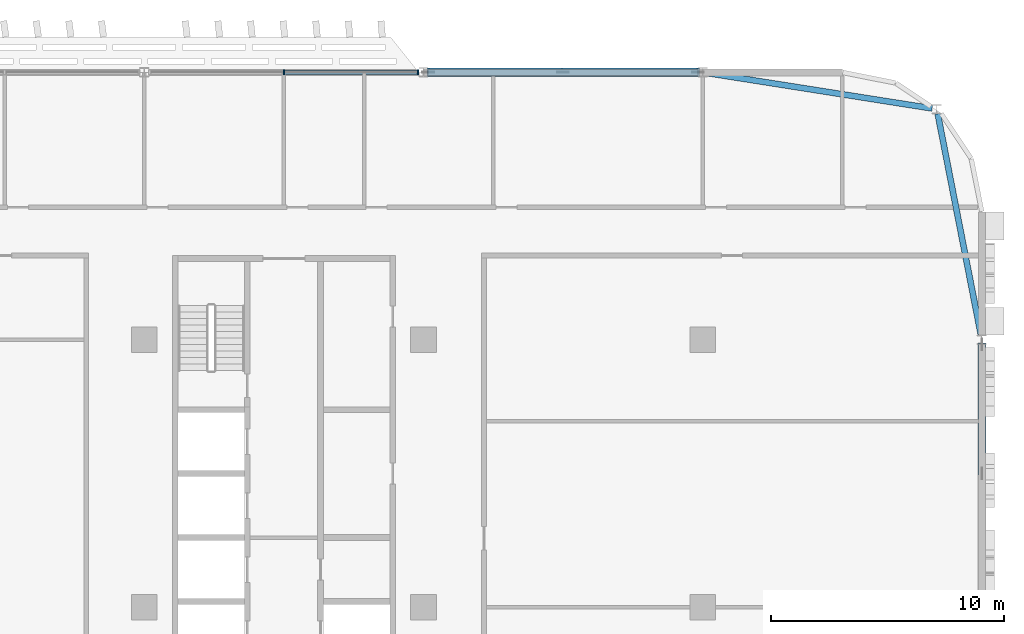
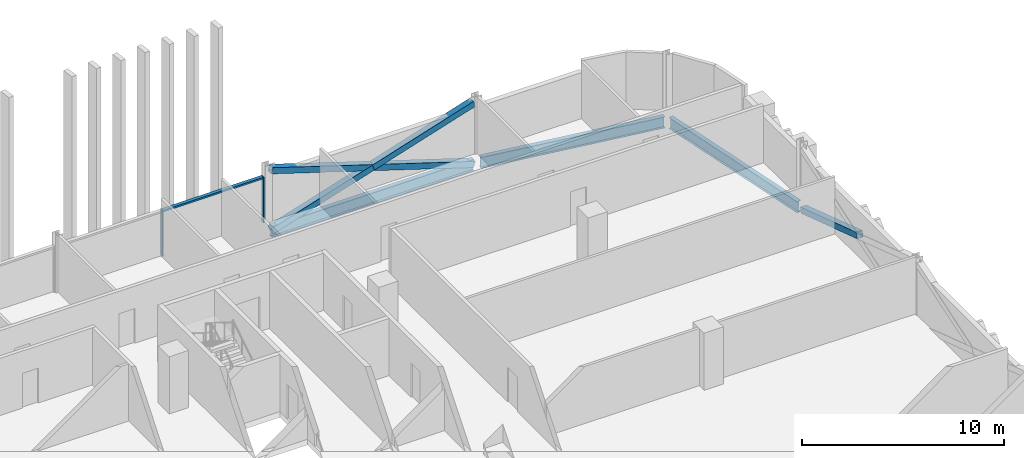
# One storey, part 11 of 30: 7 members, 3 beams, 1 element without a shape of its own.
"""IFC4 building model written with IfcOpenShell, lengths in metres."""

from ifc_helpers import new_model, si_unit, direction, frame, origin, origin_2d, place, context, subcontext, project, spatial, rectangle, hollow_rectangle, i_section, extrude, material, material_profile, profile_set, type_object, element, aggregate, save


model = new_model("IFC4")

# Units and contexts
model_context = context("Model", 3, precision=1e-05, world=origin(), true_north=direction((0.0, 1.0)))
body_context = subcontext(model_context, "Body", "Model", "MODEL_VIEW")
ifc_project = project(units=[si_unit("LENGTHUNIT", "METRE"), si_unit("AREAUNIT", "SQUARE_METRE"), si_unit("VOLUMEUNIT", "CUBIC_METRE"), si_unit("PLANEANGLEUNIT", "RADIAN"), si_unit("MASSUNIT", "GRAM", prefix="KILO")], contexts=[model_context])

# Site, building, storey
site_placement = place(None, origin())
site = spatial("IfcSite", under=ifc_project, at=site_placement, CompositionType="ELEMENT")
building_placement = place(site_placement, origin())
building = spatial("IfcBuilding", under=site, at=building_placement, Name="Mahtab Terrace Research Tower", CompositionType="ELEMENT")
storey_placement = place(building_placement, frame((0.0, 0.0, 209.10009765625)))
storey = spatial("IfcBuildingStorey", under=building, at=storey_placement, Name="L50", CompositionType="ELEMENT", Elevation=209.10009765625)

# Members
ifc_material_1 = material(Name="Steel ASTM A500 Gr C", Category="steel")
ifc_material_profile_1 = material_profile(ifc_material_1, hollow_rectangle(XDim=0.355712890625, YDim=0.355712890625, WallThickness=0.015869140625, at=origin_2d()), Name="HSS14X14X5/8")
ifc_profile_set_1 = profile_set([ifc_material_profile_1], Name="Steel ASTM A500 Gr C")
member_type_1 = type_object("IfcMemberType", Name="HSS 14x14x5/8 brace XB141458", PredefinedType="BRACE", material=ifc_profile_set_1)
member_1_placement = place(storey_placement, frame((41.79931640625, 23.0, -0.61572265625), z_axis=(-0.953337604941, 0.0, 0.301906295073), x_axis=(0.0, -1.0, 0.0)))
element("IfcMember", 1, at=member_1_placement, inside=storey, type_object=member_type_1, Name="Exoskeleton brace L50 02 a", PredefinedType="BRACE", context=body_context, shape_type="SweptSolid", body=[
    extrude(hollow_rectangle(XDim=0.355712890625, YDim=0.355712890625, WallThickness=0.015869140625, at=origin_2d()), origin(), (0.0, 0.0, 1.0), 12.166259765625),
])
for number, where, z_axis, x_axis, name in (
    (2, (30.20068359375, 23.0, -0.61572265625), (0.953343380425, 0.0, 0.301888057067), (0.0, 1.0, 0.0), "Exoskeleton brace L50 02 b1"),
    (3, (36.0, 23.0, 1.220703125), (0.953331829178, 0.0, 0.301924532749), (0.0, 1.0, 0.0), "Exoskeleton brace L50 02 b2"),
):
    element("IfcMember", number, at=place(storey_placement, frame(where, z_axis=z_axis, x_axis=x_axis)), inside=storey, type_object=member_type_1, Name=name, PredefinedType="BRACE", context=body_context, shape_type="SweptSolid", body=[
        extrude(hollow_rectangle(XDim=0.355712890625, YDim=0.355712890625, WallThickness=0.015869140625, at=origin_2d()), origin(), (0.0, 0.0, 1.0), 6.083251953125),
    ])
member_2_placement = place(storey_placement, frame((54.0, 11.300537109375, -0.61328125), z_axis=(0.0, -0.949511130933, 0.313733345748), x_axis=(1.0, 0.0, 0.0)))
element("IfcMember", 4, at=member_2_placement, inside=storey, type_object=member_type_1, Name="Exoskeleton brace L50 23 b1", PredefinedType="BRACE", context=body_context, shape_type="SweptSolid", body=[
    extrude(hollow_rectangle(XDim=0.355712890625, YDim=0.355712890625, WallThickness=0.015869140625, at=origin_2d()), origin(), (0.0, 0.0, 1.0), 5.845703125),
])

# Curtain wall, members
ifc_material_2 = material(Name="Laboratory ribbon curtain wall")
curtain_wall_type = type_object("IfcCurtainWallType", Name="Laboratory ribbon curtain wall", PredefinedType="NOTDEFINED", material=ifc_material_2)
curtain_wall_placement = place(storey_placement, origin())
curtain_wall = element("IfcCurtainWall", 5, at=curtain_wall_placement, inside=storey, type_object=curtain_wall_type, Name="EN.L50.3.5", PredefinedType="NOTDEFINED")
ifc_material_3 = material(Name="Natural anodised aluminium", Category="aluminium")
ifc_material_profile_2 = material_profile(ifc_material_3, rectangle(XDim=0.199951171875, YDim=0.06494140625, at=origin_2d()), Name="MULLION 65x200")
ifc_profile_set_2 = profile_set([ifc_material_profile_2], Name="Natural anodised aluminium")
member_type_2 = type_object("IfcMemberType", Name="Laboratory ribbon curtain wall mullion", PredefinedType="MULLION", material=ifc_profile_set_2)
member_3_placement = place(storey_placement, frame((29.767578125, 23.0, 0.0), z_axis=(0.0, 0.0, 1.0), x_axis=(0.0, -1.0, 0.0)))
member_3 = element("IfcMember", 6, at=member_3_placement, type_object=member_type_2, Name="CWL-6 mullion 1", PredefinedType="MULLION", context=body_context, shape_type="SweptSolid", body=[
    extrude(rectangle(XDim=0.199951171875, YDim=0.06494140625, at=origin_2d()), origin(), (0.0, 0.0, 1.0), 2.78173828125),
])
member_4_placement = place(storey_placement, frame((24.0, 23.0, 0.0), z_axis=(0.0, 0.0, 1.0), x_axis=(0.0, -1.0, 0.0)))
member_4 = element("IfcMember", 7, at=member_4_placement, type_object=member_type_2, Name="CWL-6 mullion 2", PredefinedType="MULLION", context=body_context, shape_type="SweptSolid", body=[
    extrude(rectangle(XDim=0.199951171875, YDim=0.06494140625, at=origin_2d()), origin(), (0.0, 0.0, 1.0), 2.78173828125),
])
ifc_material_profile_3 = material_profile(ifc_material_3, rectangle(XDim=0.199951171875, YDim=0.10009765625, at=origin_2d()), Name="TRANSOM 100x200")
ifc_profile_set_3 = profile_set([ifc_material_profile_3], Name="Natural anodised aluminium")
member_type_3 = type_object("IfcMemberType", Name="Laboratory ribbon curtain wall transom", PredefinedType="USERDEFINED", material=ifc_profile_set_3)
member_5_placement = place(storey_placement, frame((29.735107421875, 23.0, 2.731689453125), z_axis=(-1.0, 0.0, 0.0), x_axis=(0.0, -1.0, 0.0)))
member_5 = element("IfcMember", 8, at=member_5_placement, type_object=member_type_3, Name="CWL-6 transom 1", ObjectType="TRANSOM", PredefinedType="USERDEFINED", context=body_context, shape_type="SweptSolid", body=[
    extrude(rectangle(XDim=0.199951171875, YDim=0.10009765625, at=origin_2d()), origin(), (0.0, 0.0, 1.0), 5.70263671875),
])
aggregate(curtain_wall, [member_3, member_4, member_5])

# Beams
ifc_material_4 = material(Name="Steel ASTM A992 Gr 50", Category="steel")
ifc_material_profile_4 = material_profile(ifc_material_4, i_section(OverallWidth=0.25390625, OverallDepth=0.67822265625, WebThickness=0.01171875, FlangeThickness=0.016357421875, at=origin_2d()), Name="W27X84")
ifc_profile_set_4 = profile_set([ifc_material_profile_4], Name="Steel ASTM A992 Gr 50")
beam_type = type_object("IfcBeamType", Name="W27x84 beam BS2784", PredefinedType="BEAM", material=ifc_profile_set_4)
beam_1_placement = place(storey_placement, frame((51.861328125, 21.447509765625, -0.67919921875), z_axis=(-0.987831689273, 0.155526697604, 0.0), x_axis=(-0.155526697604, -0.987831689273, 0.0)))
element("IfcBeam", 9, at=beam_1_placement, inside=storey, type_object=beam_type, Name="Spandrel beam L50 01", PredefinedType="BEAM", context=body_context, shape_type="SweptSolid", body=[
    extrude(i_section(OverallWidth=0.25390625, OverallDepth=0.67822265625, WebThickness=0.01171875, FlangeThickness=0.016357421875, at=origin_2d()), origin(), (0.0, 0.0, 1.0), 9.779541015625),
])
beam_2_placement = place(storey_placement, frame((41.79931640625, 23.0, -0.67919921875), z_axis=(-1.0, 0.0, 0.0), x_axis=(0.0, -1.0, 0.0)))
element("IfcBeam", 10, at=beam_2_placement, inside=storey, type_object=beam_type, Name="Spandrel beam L50 02", PredefinedType="BEAM", context=body_context, shape_type="SweptSolid", body=[
    extrude(i_section(OverallWidth=0.25390625, OverallDepth=0.67822265625, WebThickness=0.01171875, FlangeThickness=0.016357421875, at=origin_2d()), origin(), (0.0, 0.0, 1.0), 11.5986328125),
])
beam_3_placement = place(storey_placement, frame((53.9609375, 11.699462890625, -0.67919921875), z_axis=(-0.191795474732, 0.981434916779, 0.0), x_axis=(-0.981434916779, -0.191795474732, 0.0)))
element("IfcBeam", 11, at=beam_3_placement, inside=storey, type_object=beam_type, Name="Spandrel beam L50 24", PredefinedType="BEAM", context=body_context, shape_type="SweptSolid", body=[
    extrude(i_section(OverallWidth=0.25390625, OverallDepth=0.67822265625, WebThickness=0.01171875, FlangeThickness=0.016357421875, at=origin_2d()), origin(), (0.0, 0.0, 1.0), 9.697021484375),
])

save(model, "model.ifc")
